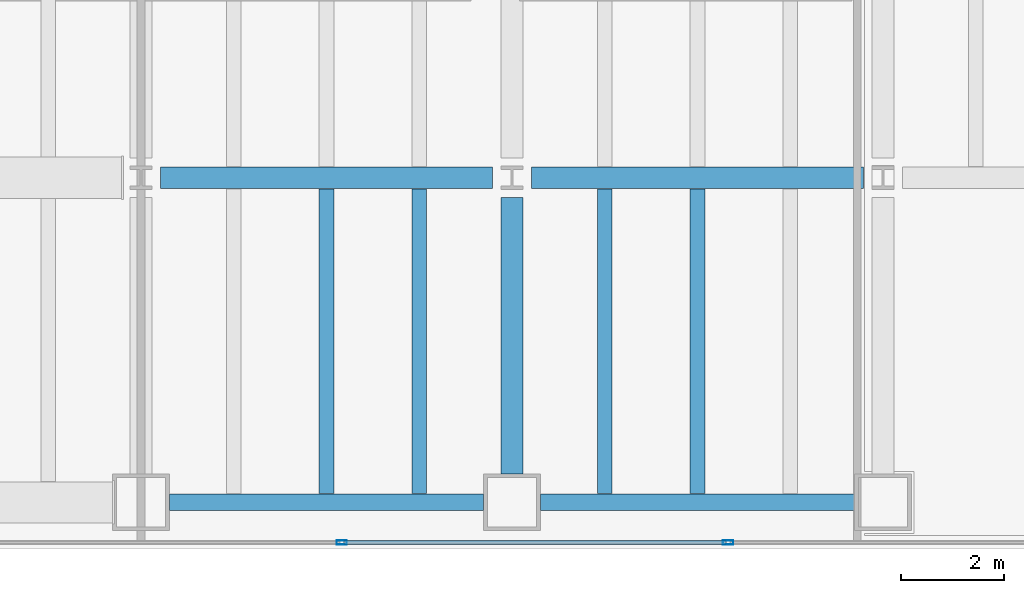
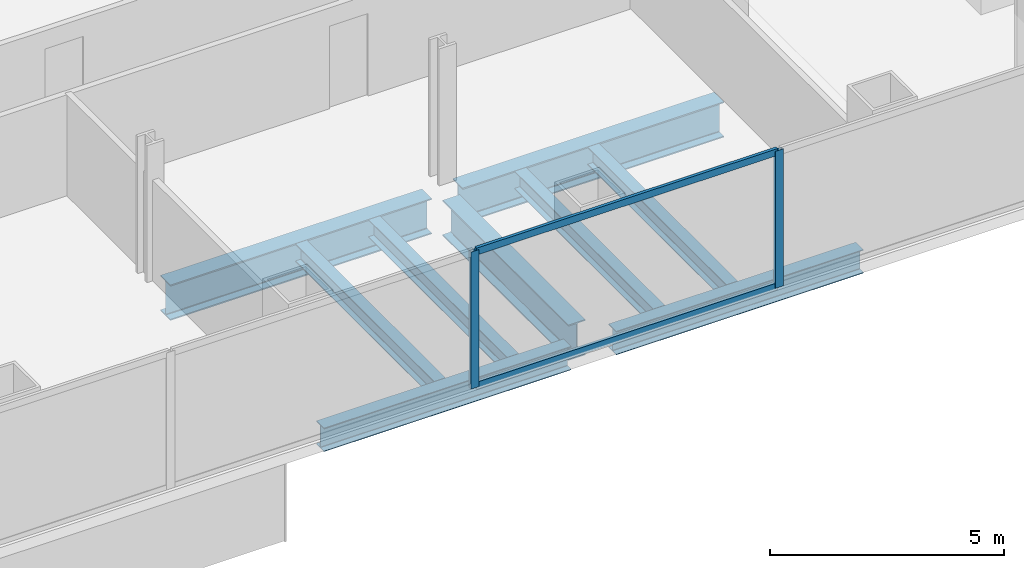
# One storey, part 7 of 24: 9 beams, 4 members, 1 element without a shape of its own.
"""IFC4 building model written with IfcOpenShell, lengths in metres."""

from ifc_helpers import new_model, si_unit, direction, frame, origin, origin_2d, place, context, subcontext, project, spatial, hollow_rectangle, i_section, extrude, material, material_profile, profile_set, type_object, element, aggregate, save


model = new_model("IFC4")

# Units and contexts
model_context = context("Model", 3, precision=1e-05, world=origin(), true_north=direction((0.0, 1.0)))
body_context = subcontext(model_context, "Body", "Model", "MODEL_VIEW")
ifc_project = project(units=[si_unit("LENGTHUNIT", "METRE"), si_unit("AREAUNIT", "SQUARE_METRE"), si_unit("VOLUMEUNIT", "CUBIC_METRE"), si_unit("PLANEANGLEUNIT", "RADIAN"), si_unit("MASSUNIT", "GRAM", prefix="KILO")], contexts=[model_context])

# Site, building, storey
site_placement = place(None, origin())
site = spatial("IfcSite", under=ifc_project, at=site_placement, CompositionType="ELEMENT")
building_placement = place(site_placement, origin())
building = spatial("IfcBuilding", under=site, at=building_placement, Name="Cobrela Telecom Tower", CompositionType="ELEMENT")
storey_placement = place(building_placement, frame((0.0, 0.0, 31.14990234375)))
storey = spatial("IfcBuildingStorey", under=building, at=storey_placement, Name="L07", CompositionType="ELEMENT", Elevation=31.14990234375)

# Beams
ifc_material_1 = material(Name="Steel ASTM A992 Grade 50", Category="steel")
ifc_material_profile_1 = material_profile(ifc_material_1, i_section(OverallWidth=0.4189453125, OverallDepth=0.927001953125, WebThickness=0.019287109375, FlangeThickness=0.031982421875, FilletRadius=0.02392578125, at=origin_2d()), Name="W36X231")
ifc_profile_set_1 = profile_set([ifc_material_profile_1], Name="Steel ASTM A992 Grade 50")
beam_type_1 = type_object("IfcBeamType", Name="BM-GIRD-02", PredefinedType="USERDEFINED", material=ifc_profile_set_1)
for number, where, z_axis, x_axis, name in (
    (1, (29.179931640625, 7.199951171875, -0.743408203125), (1.0, 0.0, 0.0), (0.0, 1.0, 0.0), "L07 Primary Girder X06"),
    (2, (36.3798828125, 7.199951171875, -0.743408203125), (1.0, 0.0, 0.0), (0.0, 1.0, 0.0), "L07 Primary Girder X07"),
):
    element("IfcBeam", number, at=place(storey_placement, frame(where, z_axis=z_axis, x_axis=x_axis)), inside=storey, type_object=beam_type_1, Name=name, ObjectType="GIRDER", PredefinedType="USERDEFINED", context=body_context, shape_type="SweptSolid", body=[
        extrude(i_section(OverallWidth=0.4189453125, OverallDepth=0.927001953125, WebThickness=0.019287109375, FlangeThickness=0.031982421875, FilletRadius=0.02392578125, at=origin_2d()), origin(), (0.0, 0.0, 1.0), 6.440185546875),
    ])
beam_placement = place(storey_placement, frame((36.0, 1.455078125, -0.743408203125), z_axis=(0.0, 1.0, 0.0), x_axis=(-1.0, 0.0, 0.0)))
element("IfcBeam", 3, at=beam_placement, inside=storey, type_object=beam_type_1, Name="L07 Primary Girder Y30", ObjectType="GIRDER", PredefinedType="USERDEFINED", context=body_context, shape_type="SweptSolid", body=[
    extrude(i_section(OverallWidth=0.4189453125, OverallDepth=0.927001953125, WebThickness=0.019287109375, FlangeThickness=0.031982421875, FilletRadius=0.02392578125, at=origin_2d()), origin(), (0.0, 0.0, 1.0), 5.364990234375),
])
ifc_material_profile_2 = material_profile(ifc_material_1, i_section(OverallWidth=0.281982421875, OverallDepth=0.467041015625, WebThickness=0.01220703125, FlangeThickness=0.01953125, FilletRadius=0.012939453125, at=origin_2d()), Name="W18X86")
ifc_profile_set_2 = profile_set([ifc_material_profile_2], Name="Steel ASTM A992 Grade 50")
beam_type_2 = type_object("IfcBeamType", Name="BM-JOIST-02", PredefinedType="JOIST", material=ifc_profile_set_2)
for number, where, z_axis, x_axis, name in (
    (4, (32.39990234375, 1.0673828125, -0.513427734375), (0.0, 1.0, 0.0), (-1.0, 0.0, 0.0), "L07 Secondary Composite Floor Beam J44"),
    (5, (34.199951171875, 1.0673828125, -0.513427734375), (0.0, 1.0, 0.0), (-1.0, 0.0, 0.0), "L07 Secondary Composite Floor Beam J47"),
    (6, (37.800048828125, 1.0673828125, -0.513427734375), (0.0, 1.0, 0.0), (-1.0, 0.0, 0.0), "L07 Secondary Composite Floor Beam J50"),
    (7, (39.60009765625, 1.0673828125, -0.513427734375), (0.0, 1.0, 0.0), (-1.0, 0.0, 0.0), "L07 Secondary Composite Floor Beam J53"),
):
    element("IfcBeam", number, at=place(storey_placement, frame(where, z_axis=z_axis, x_axis=x_axis)), inside=storey, type_object=beam_type_2, Name=name, PredefinedType="JOIST", context=body_context, shape_type="SweptSolid", body=[
        extrude(i_section(OverallWidth=0.281982421875, OverallDepth=0.467041015625, WebThickness=0.01220703125, FlangeThickness=0.01953125, FilletRadius=0.012939453125, at=origin_2d()), origin(), (0.0, 0.0, 1.0), 5.918212890625),
    ])
ifc_material_profile_3 = material_profile(ifc_material_1, i_section(OverallWidth=0.324951171875, OverallDepth=0.612060546875, WebThickness=0.0126953125, FlangeThickness=0.01904296875, FilletRadius=0.014892578125, at=origin_2d()), Name="W24X104")
ifc_profile_set_3 = profile_set([ifc_material_profile_3], Name="Steel ASTM A992 Grade 50")
beam_type_3 = type_object("IfcBeamType", Name="BM-SPAND-02", PredefinedType="SPANDREL", material=ifc_profile_set_3)
for number, where, z_axis, x_axis, name in (
    (8, (29.35498046875, 0.89990234375, -0.5859375), (1.0, 0.0, 0.0), (0.0, 1.0, 0.0), "L07 Perimeter Spandrel X02"),
    (9, (36.554931640625, 0.89990234375, -0.5859375), (1.0, 0.0, 0.0), (0.0, 1.0, 0.0), "L07 Perimeter Spandrel X03"),
):
    element("IfcBeam", number, at=place(storey_placement, frame(where, z_axis=z_axis, x_axis=x_axis)), inside=storey, type_object=beam_type_3, Name=name, PredefinedType="SPANDREL", context=body_context, shape_type="SweptSolid", body=[
        extrude(i_section(OverallWidth=0.324951171875, OverallDepth=0.612060546875, WebThickness=0.0126953125, FlangeThickness=0.01904296875, FilletRadius=0.014892578125, at=origin_2d()), origin(), (0.0, 0.0, 1.0), 6.090087890625),
    ])

# Curtain wall, members
ifc_material_2 = material(Name="Anodized Bronze Aluminium 6063-T6", Category="aluminium")
curtain_wall_type = type_object("IfcCurtainWallType", Name="CW-SYS-DATA", PredefinedType="USERDEFINED", material=ifc_material_2)
curtain_wall_placement = place(storey_placement, origin())
curtain_wall = element("IfcCurtainWall", 10, at=curtain_wall_placement, inside=storey, type_object=curtain_wall_type, Name="L07 Unitised Bronze Curtain Wall 17", ObjectType="UNITISED CURTAIN WALL", PredefinedType="USERDEFINED")
ifc_material_profile_4 = material_profile(ifc_material_2, hollow_rectangle(XDim=0.080078125, YDim=0.199951171875, WallThickness=0.00390625, at=origin_2d()), Name="ALU 80x200x4")
ifc_profile_set_4 = profile_set([ifc_material_profile_4], Name="Anodized Bronze Aluminium 6063-T6")
member_type_1 = type_object("IfcMemberType", Name="CW-SYS-DATA-MUL", PredefinedType="MULLION", material=ifc_profile_set_4)
member_1_placement = place(storey_placement, frame((40.193359375, 0.1201171875, 0.0), z_axis=(0.0, 0.0, 1.0), x_axis=(0.0, -1.0, 0.0)))
member_1 = element("IfcMember", 11, at=member_1_placement, type_object=member_type_1, Name="CW-DATA mullion 2", PredefinedType="MULLION", context=body_context, shape_type="SweptSolid", body=[
    extrude(hollow_rectangle(XDim=0.080078125, YDim=0.199951171875, WallThickness=0.00390625, at=origin_2d()), origin(), (0.0, 0.0, 1.0), 3.570068359375),
])
member_2_placement = place(storey_placement, frame((32.69677734375, 0.1201171875, 0.0), z_axis=(0.0, 0.0, 1.0), x_axis=(0.0, -1.0, 0.0)))
member_2 = element("IfcMember", 12, at=member_2_placement, type_object=member_type_1, Name="CW-DATA mullion 3", PredefinedType="MULLION", context=body_context, shape_type="SweptSolid", body=[
    extrude(hollow_rectangle(XDim=0.080078125, YDim=0.199951171875, WallThickness=0.00390625, at=origin_2d()), origin(), (0.0, 0.0, 1.0), 3.570068359375),
])
ifc_material_profile_5 = material_profile(ifc_material_2, hollow_rectangle(XDim=0.074951171875, YDim=0.179931640625, WallThickness=0.00390625, at=origin_2d()), Name="ALU 75x180x4")
ifc_profile_set_5 = profile_set([ifc_material_profile_5], Name="Anodized Bronze Aluminium 6063-T6")
member_type_2 = type_object("IfcMemberType", Name="CW-SYS-DATA-TRN", PredefinedType="USERDEFINED", material=ifc_profile_set_5)
member_3_placement = place(storey_placement, frame((40.1533203125, 0.1201171875, 0.03759765625), z_axis=(-1.0, 0.0, 0.0), x_axis=(0.0, -1.0, 0.0)))
member_3 = element("IfcMember", 13, at=member_3_placement, type_object=member_type_2, Name="CW-DATA transom 2.1", ObjectType="TRANSOM", PredefinedType="USERDEFINED", context=body_context, shape_type="SweptSolid", body=[
    extrude(hollow_rectangle(XDim=0.074951171875, YDim=0.179931640625, WallThickness=0.00390625, at=origin_2d()), origin(), (0.0, 0.0, 1.0), 7.416748046875),
])
member_4_placement = place(storey_placement, frame((40.1533203125, 0.1201171875, 3.53271484375), z_axis=(-1.0, 0.0, 0.0), x_axis=(0.0, -1.0, 0.0)))
member_4 = element("IfcMember", 14, at=member_4_placement, type_object=member_type_2, Name="CW-DATA transom 2.2", ObjectType="TRANSOM", PredefinedType="USERDEFINED", context=body_context, shape_type="SweptSolid", body=[
    extrude(hollow_rectangle(XDim=0.074951171875, YDim=0.179931640625, WallThickness=0.00390625, at=origin_2d()), origin(), (0.0, 0.0, 1.0), 7.416748046875),
])
aggregate(curtain_wall, [member_1, member_2, member_3, member_4])

save(model, "model.ifc")
